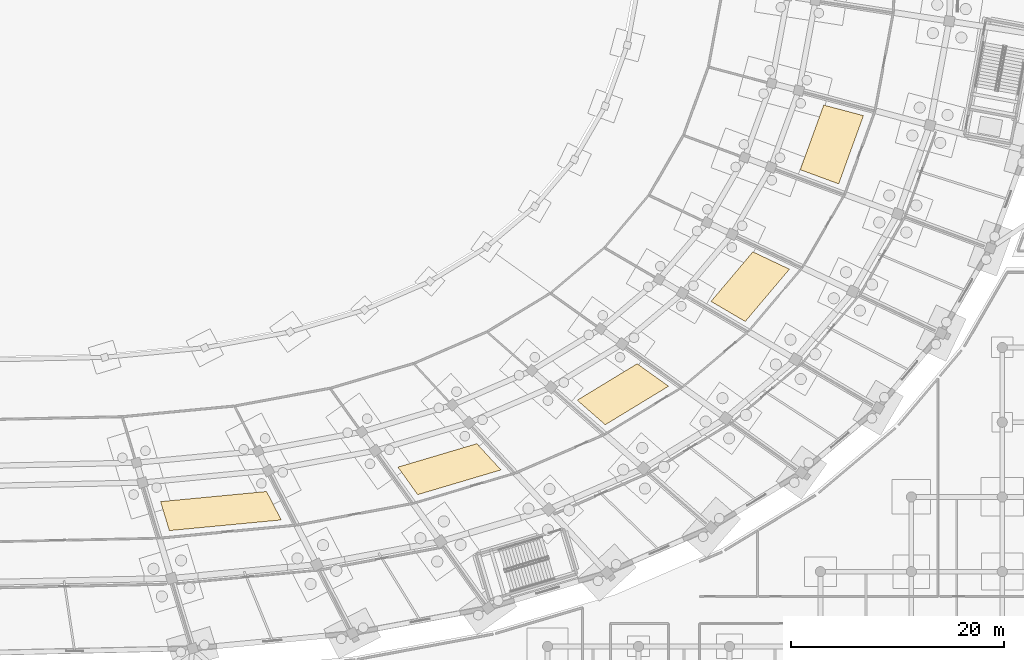
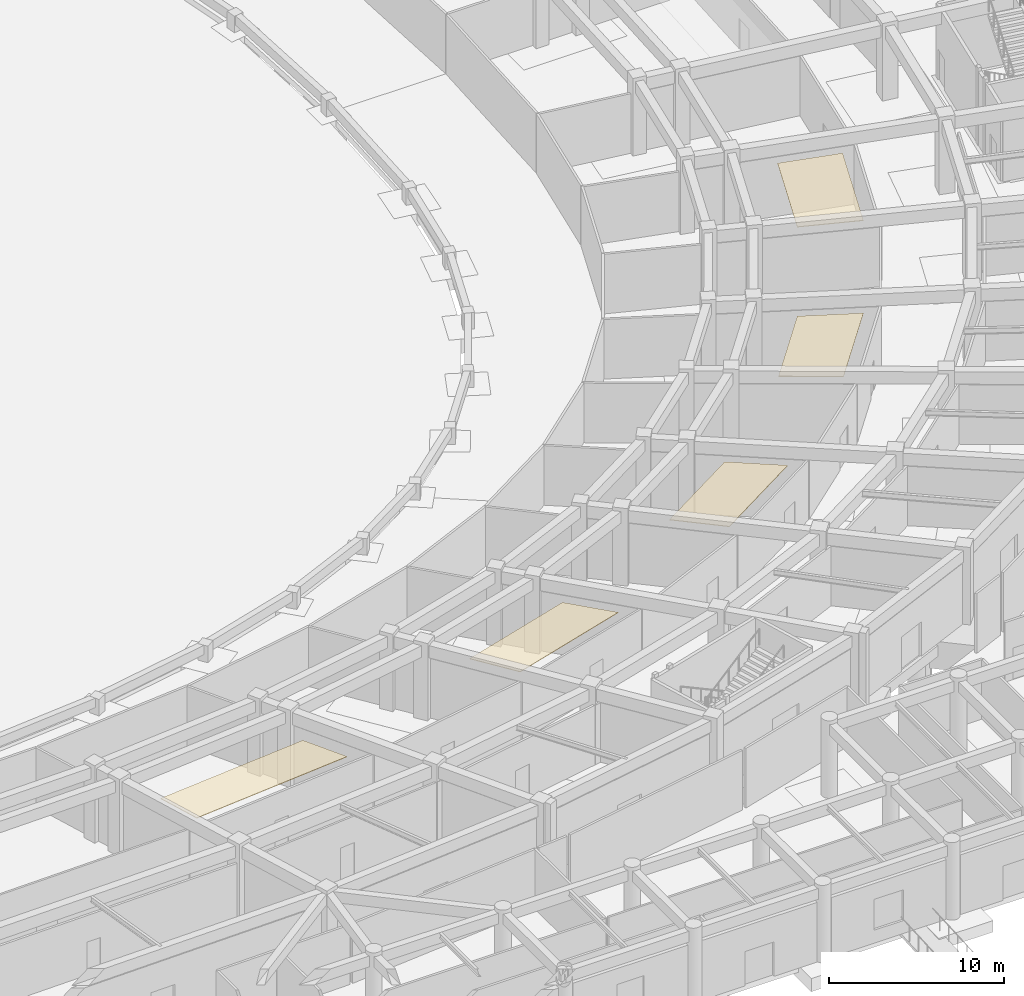
# One storey, part 77 of 88: 5 coverings.
"""IFC4 building model written with IfcOpenShell, lengths in metres."""

from ifc_helpers import new_model, si_unit, direction, frame, origin, place, context, subcontext, project, spatial, polyline, outline, extrude, material, layer, layer_set, type_object, element, save


model = new_model("IFC4")

# Units and contexts
model_context = context("Model", 3, precision=1e-05, world=origin(), true_north=direction((0.0, 1.0)))
body_context = subcontext(model_context, "Body", "Model", "MODEL_VIEW")
ifc_project = project(units=[si_unit("LENGTHUNIT", "METRE"), si_unit("AREAUNIT", "SQUARE_METRE"), si_unit("VOLUMEUNIT", "CUBIC_METRE"), si_unit("PLANEANGLEUNIT", "RADIAN"), si_unit("MASSUNIT", "GRAM", prefix="KILO")], contexts=[model_context])

# Site, building, storey
site_placement = place(None, origin())
site = spatial("IfcSite", under=ifc_project, at=site_placement, CompositionType="ELEMENT")
building_placement = place(site_placement, origin())
building = spatial("IfcBuilding", under=site, at=building_placement, Name="Mphavela Belvedere Stadium", CompositionType="ELEMENT")
storey_placement = place(building_placement, origin())
storey = spatial("IfcBuildingStorey", under=building, at=storey_placement, Name="L00", CompositionType="ELEMENT", Elevation=0.0)

# Coverings
ifc_material = material(Name="Perforated acoustic mineral ceiling tile")
ifc_layer = layer(ifc_material, 0.0400390625)
ifc_layer_set = layer_set([ifc_layer], Name="Perforated acoustic mineral ceiling tile")
covering_type = type_object("IfcCoveringType", Name="COV-CEILING-ACOUSTIC", PredefinedType="CEILING", material=ifc_layer_set)
covering_1_placement = place(storey_placement, frame((0.0, 0.0, 4.10009765625)))
element("IfcCovering", 1, at=covering_1_placement, inside=storey, type_object=covering_type, Name="Concourse acoustic ceiling L00-38", PredefinedType="CEILING", context=body_context, shape_type="SweptSolid", body=[
    extrude(outline(polyline([(134.110595703125, 27.56298828125), (144.038818359375, 28.509765625), (145.41552734375, 25.8447265625), (134.931640625, 24.84521484375), (134.110595703125, 27.56298828125)])), origin(), (0.0, 0.0, 1.0), 0.039794921875),
])
covering_2_placement = place(storey_placement, frame((0.0, 0.0, 4.10009765625)))
element("IfcCovering", 2, at=covering_2_placement, inside=storey, type_object=covering_type, Name="Concourse acoustic ceiling L00-40", PredefinedType="CEILING", context=body_context, shape_type="SweptSolid", body=[
    extrude(outline(polyline([(156.34765625, 30.79248046875), (163.7392578125, 32.986572265625), (166.002197265625, 30.532470703125), (158.197021484375, 28.2158203125), (156.34765625, 30.79248046875)])), origin(), (0.0, 0.0, 1.0), 0.039794921875),
])
covering_3_placement = place(storey_placement, frame((0.0, 0.0, 4.10009765625)))
element("IfcCovering", 3, at=covering_3_placement, inside=storey, type_object=covering_type, Name="Concourse acoustic ceiling L00-42", PredefinedType="CEILING", context=body_context, shape_type="SweptSolid", body=[
    extrude(outline(polyline([(173.1455078125, 37.06103515625), (178.76025390625, 40.476806640625), (181.699462890625, 38.370849609375), (175.770751953125, 34.763916015625), (173.1455078125, 37.06103515625)])), origin(), (0.0, 0.0, 1.0), 0.039794921875),
])
covering_4_placement = place(storey_placement, frame((0.0, 0.0, 4.10009765625)))
element("IfcCovering", 4, at=covering_4_placement, inside=storey, type_object=covering_type, Name="Concourse acoustic ceiling L00-44", PredefinedType="CEILING", context=body_context, shape_type="SweptSolid", body=[
    extrude(outline(polyline([(185.67919921875, 46.316650390625), (189.597900390625, 50.95751953125), (193.023193359375, 49.336181640625), (188.885009765625, 44.435546875), (185.67919921875, 46.316650390625)])), origin(), (0.0, 0.0, 1.0), 0.039794921875),
])
covering_5_placement = place(storey_placement, frame((0.0, 0.0, 4.10009765625)))
element("IfcCovering", 5, at=covering_5_placement, inside=storey, type_object=covering_type, Name="Concourse acoustic ceiling L00-46", PredefinedType="CEILING", context=body_context, shape_type="SweptSolid", body=[
    extrude(outline(polyline([(194.041015625, 58.655029296875), (196.237060546875, 64.708251953125), (199.956298828125, 63.721923828125), (197.637451171875, 57.330078125), (194.041015625, 58.655029296875)])), origin(), (0.0, 0.0, 1.0), 0.039794921875),
])

save(model, "model.ifc")
